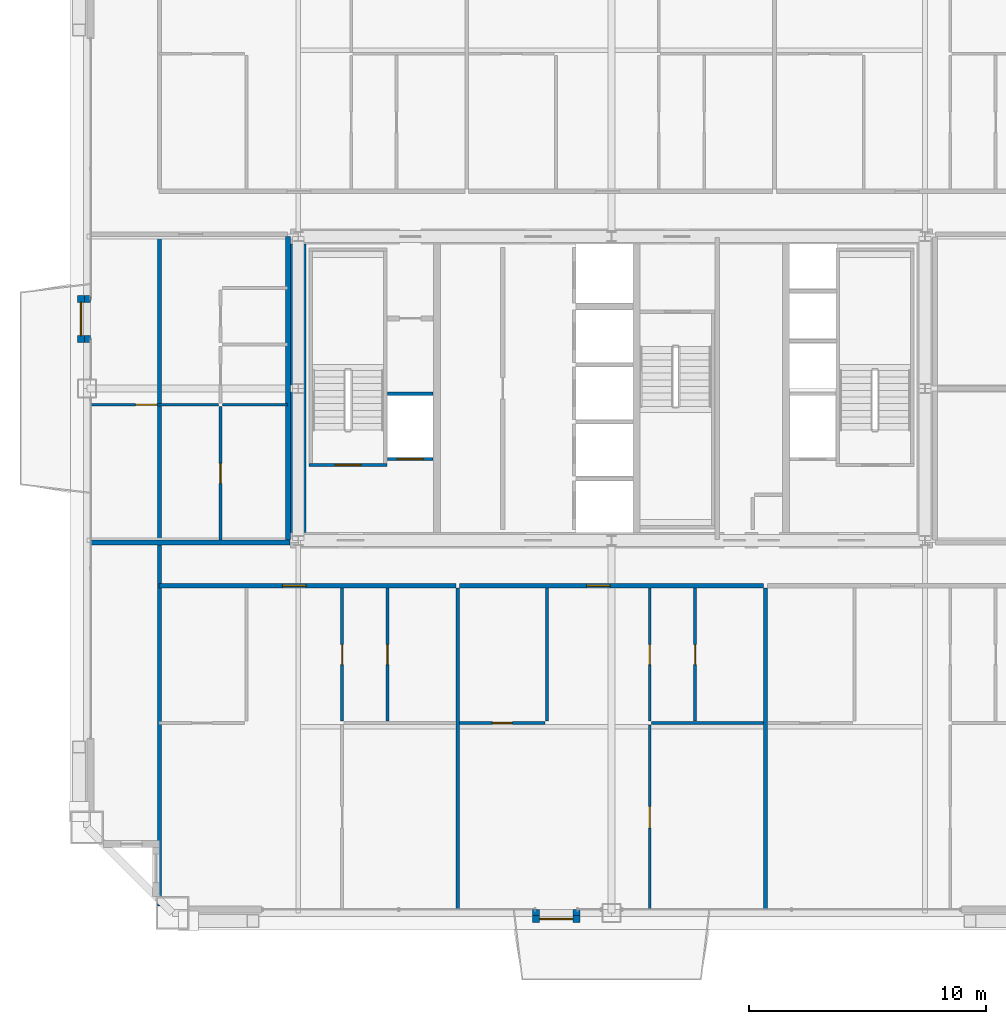
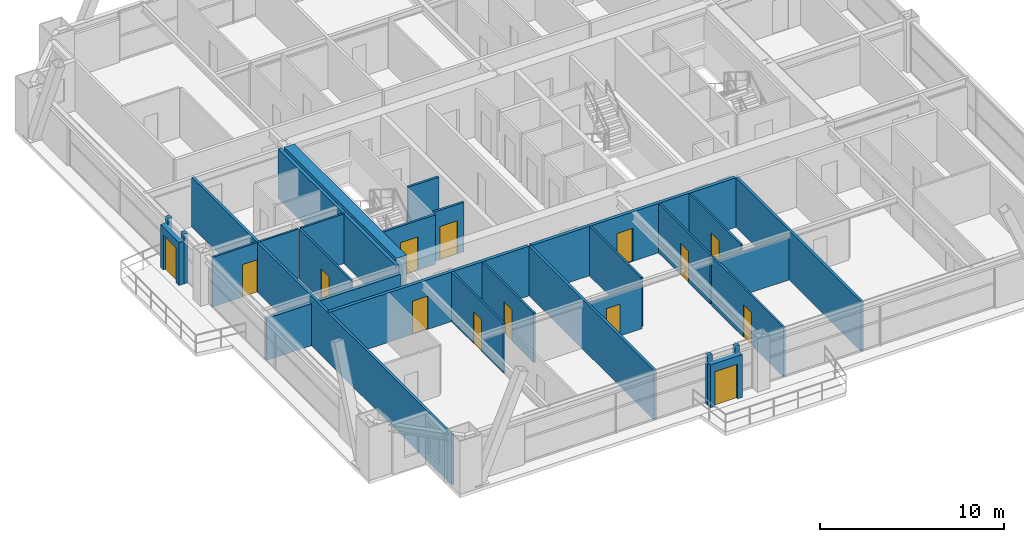
# One storey, part 37 of 42: 28 walls, 14 doors, 14 openings.
"""IFC4 building model written with IfcOpenShell, lengths in metres."""

from ifc_helpers import new_model, si_unit, direction, frame, frame_2d, origin, place, context, subcontext, project, spatial, rectangle, extrude, source, transform, mapped, material, layer, layer_set, type_object, element, fill, save


model = new_model("IFC4")

# Units and contexts
model_context = context("Model", 3, precision=1e-05, world=origin(), true_north=direction((0.0, 1.0)))
body_context = subcontext(model_context, "Body", "Model", "MODEL_VIEW")
ifc_project = project(units=[si_unit("LENGTHUNIT", "METRE"), si_unit("AREAUNIT", "SQUARE_METRE"), si_unit("VOLUMEUNIT", "CUBIC_METRE"), si_unit("PLANEANGLEUNIT", "RADIAN"), si_unit("MASSUNIT", "GRAM", prefix="KILO"), si_unit("THERMODYNAMICTEMPERATUREUNIT", "KELVIN"), si_unit("POWERUNIT", "WATT")], contexts=[model_context])

# Site, building, storey
site_placement = place(None, origin())
site = spatial("IfcSite", under=ifc_project, at=site_placement, CompositionType="ELEMENT")
building_placement = place(site_placement, origin())
building = spatial("IfcBuilding", under=site, at=building_placement, Name="Yuzanri Waterfront Tower", CompositionType="ELEMENT")
storey_placement = place(building_placement, frame((0.0, 0.0, 205.5)))
storey = spatial("IfcBuildingStorey", under=building, at=storey_placement, Name="L54", CompositionType="ELEMENT", Elevation=205.5)

# Wall, opening, door
ifc_material_1 = material(Name="Moisture-Resistant Gypsum Stud Wall", Category="gypsum")
ifc_layer_1 = layer(ifc_material_1, 0.1201171875)
ifc_layer_set_1 = layer_set([ifc_layer_1], Name="Moisture-Resistant Gypsum Stud Wall")
wall_type_1 = type_object("IfcWallType", Name="Bathroom and Kitchen Wet Partition 120", PredefinedType="PARTITIONING", material=ifc_layer_set_1)
wall_1_placement = place(storey_placement, frame((27.56005859375, 11.780029296875, 0.0), z_axis=(0.0, 0.0, 1.0), x_axis=(0.0, 1.0, 0.0)))
wall_1 = element("IfcWall", 1, at=wall_1_placement, inside=storey, type_object=wall_type_1, Name="L54 Partition UW-L54-RS1-SUB-2-W", PredefinedType="PARTITIONING", context=body_context, shape_type="SweptSolid", body=[
    extrude(rectangle(XDim=5.60986328125, YDim=0.1201171875, at=frame_2d((2.804931640625, 0.0))), origin(), (0.0, 0.0, 1.0), 3.280029296875),
])
opening_1_placement = place(wall_1_placement, frame((2.3798828125, 0.0, 0.0)))
opening_1 = element("IfcOpeningElement", 2, at=opening_1_placement, cuts=wall_1, Name="Opening ID-0850", PredefinedType="OPENING", context=body_context, shape_type="SweptSolid", body=[
    extrude(rectangle(XDim=0.85009765625, YDim=2.10009765625, at=frame_2d((0.425048828125, 1.050048828125))), frame((0.0, 0.074951171875, 0.0), z_axis=(0.0, -1.0, 0.0), x_axis=(1.0, 0.0, 0.0)), (0.0, 0.0, 1.0), 0.14990234375),
])
ifc_material_2 = material(Name="Moisture-Resistant Lacquered Timber", Category="wood")
door_type_1 = type_object("IfcDoorType", Name="En-Suite Bathroom and Kitchen Swing Door 850x2100", OperationType="NOTDEFINED", PredefinedType="DOOR", material=ifc_material_2)
shared_shape_1 = source(origin(), body_context, "Body", "SweptSolid", [
    extrude(rectangle(XDim=0.85009765625, YDim=2.10009765625, at=frame_2d((0.425048828125, 1.050048828125))), frame((0.0, 0.02490234375, 0.0), z_axis=(0.0, -1.0, 0.0), x_axis=(1.0, 0.0, 0.0)), (0.0, 0.0, 1.0), 0.050048828125),
])
door_1_placement = place(opening_1_placement, origin())
door_1 = element("IfcDoor", 3, at=door_1_placement, inside=storey, type_object=door_type_1, Name="L54 Suite Interior Room Door", OperationType="SINGLE_SWING_RIGHT", OverallHeight=2.10009765625, OverallWidth=0.85009765625, PredefinedType="DOOR", context=body_context, shape_type="MappedRepresentation", body=[
    mapped(shared_shape_1, transform((0.0, 0.0, 0.0), scale=1.0)),
])
fill(opening_1, door_1)

wall_2_placement = place(storey_placement, frame((25.64794921875, 11.780029296875, 0.0), z_axis=(0.0, 0.0, 1.0), x_axis=(0.0, 1.0, 0.0)))
wall_2 = element("IfcWall", 4, at=wall_2_placement, inside=storey, type_object=wall_type_1, Name="L54 Partition UW-L54-RS1-SUB-4-W", PredefinedType="PARTITIONING", context=body_context, shape_type="SweptSolid", body=[
    extrude(rectangle(XDim=5.60986328125, YDim=0.1201171875, at=frame_2d((2.804931640625, 0.0))), origin(), (0.0, 0.0, 1.0), 3.280029296875),
])
opening_2_placement = place(wall_2_placement, frame((2.3798828125, 0.0, 0.0)))
opening_2 = element("IfcOpeningElement", 5, at=opening_2_placement, cuts=wall_2, Name="Opening ID-0850", PredefinedType="OPENING", context=body_context, shape_type="SweptSolid", body=[
    extrude(rectangle(XDim=0.85009765625, YDim=2.10009765625, at=frame_2d((0.425048828125, 1.050048828125))), frame((0.0, 0.074951171875, 0.0), z_axis=(0.0, -1.0, 0.0), x_axis=(1.0, 0.0, 0.0)), (0.0, 0.0, 1.0), 0.14990234375),
])
door_2_placement = place(opening_2_placement, origin())
door_2 = element("IfcDoor", 6, at=door_2_placement, inside=storey, type_object=door_type_1, Name="L54 Suite Interior Room Door", OperationType="SINGLE_SWING_RIGHT", OverallHeight=2.10009765625, OverallWidth=0.85009765625, PredefinedType="DOOR", context=body_context, shape_type="MappedRepresentation", body=[
    mapped(shared_shape_1, transform((0.0, 0.0, 0.0), scale=1.0)),
])
fill(opening_2, door_2)

wall_3_placement = place(storey_placement, frame((30.60009765625, 11.699951171875, 0.0), z_axis=(0.0, 0.0, 1.0), x_axis=(1.0, 0.0, 0.0)))
wall_3 = element("IfcWall", 7, at=wall_3_placement, inside=storey, type_object=wall_type_1, Name="L54 Partition UW-L54-RS2-SUB-1-S", PredefinedType="PARTITIONING", context=body_context, shape_type="SweptSolid", body=[
    extrude(rectangle(XDim=3.599853515625, YDim=0.1201171875, at=frame_2d((1.7998046875, 0.0))), origin(), (0.0, 0.0, 1.0), 2.875),
])
opening_3_placement = place(wall_3_placement, frame((1.375, 0.0, 0.0)))
opening_3 = element("IfcOpeningElement", 8, at=opening_3_placement, cuts=wall_3, Name="Opening ID-0850", PredefinedType="OPENING", context=body_context, shape_type="SweptSolid", body=[
    extrude(rectangle(XDim=0.85009765625, YDim=2.10009765625, at=frame_2d((0.425048828125, 1.050048828125))), frame((0.0, 0.074951171875, 0.0), z_axis=(0.0, -1.0, 0.0), x_axis=(1.0, 0.0, 0.0)), (0.0, 0.0, 1.0), 0.14990234375),
])
door_3_placement = place(opening_3_placement, origin())
door_3 = element("IfcDoor", 9, at=door_3_placement, inside=storey, type_object=door_type_1, Name="L54 Suite Interior Room Door", OperationType="SINGLE_SWING_RIGHT", OverallHeight=2.10009765625, OverallWidth=0.85009765625, PredefinedType="DOOR", context=body_context, shape_type="MappedRepresentation", body=[
    mapped(shared_shape_1, transform((0.0, 0.0, 0.0), scale=1.0)),
])
fill(opening_3, door_3)

wall_4_placement = place(storey_placement, frame((40.52001953125, 11.780029296875, 0.0), z_axis=(0.0, 0.0, 1.0), x_axis=(0.0, 1.0, 0.0)))
wall_4 = element("IfcWall", 10, at=wall_4_placement, inside=storey, type_object=wall_type_1, Name="L54 Partition UW-L54-RS2-SUB-2-W", PredefinedType="PARTITIONING", context=body_context, shape_type="SweptSolid", body=[
    extrude(rectangle(XDim=5.60986328125, YDim=0.1201171875, at=frame_2d((2.804931640625, 0.0))), origin(), (0.0, 0.0, 1.0), 3.280029296875),
])
opening_4_placement = place(wall_4_placement, frame((2.3798828125, 0.0, 0.0)))
opening_4 = element("IfcOpeningElement", 11, at=opening_4_placement, cuts=wall_4, Name="Opening ID-0850", PredefinedType="OPENING", context=body_context, shape_type="SweptSolid", body=[
    extrude(rectangle(XDim=0.85009765625, YDim=2.10009765625, at=frame_2d((0.425048828125, 1.050048828125))), frame((0.0, 0.074951171875, 0.0), z_axis=(0.0, -1.0, 0.0), x_axis=(1.0, 0.0, 0.0)), (0.0, 0.0, 1.0), 0.14990234375),
])
door_4_placement = place(opening_4_placement, origin())
door_4 = element("IfcDoor", 12, at=door_4_placement, inside=storey, type_object=door_type_1, Name="L54 Suite Interior Room Door", OperationType="SINGLE_SWING_LEFT", OverallHeight=2.10009765625, OverallWidth=0.85009765625, PredefinedType="DOOR", context=body_context, shape_type="MappedRepresentation", body=[
    mapped(shared_shape_1, transform((0.0, 0.0, 0.0), scale=1.0)),
])
fill(opening_4, door_4)

wall_5_placement = place(storey_placement, frame((38.60791015625, 3.85009765625, 0.0), z_axis=(0.0, 0.0, 1.0), x_axis=(0.0, 1.0, 0.0)))
wall_5 = element("IfcWall", 13, at=wall_5_placement, inside=storey, type_object=wall_type_1, Name="L54 Partition UW-L54-RS2-SUB-3-W", PredefinedType="PARTITIONING", context=body_context, shape_type="SweptSolid", body=[
    extrude(rectangle(XDim=7.77001953125, YDim=0.1201171875, at=frame_2d((3.885009765625, 0.0))), origin(), (0.0, 0.0, 1.0), 3.280029296875),
])
opening_5_placement = place(wall_5_placement, frame((3.43505859375, 0.0, 0.0)))
opening_5 = element("IfcOpeningElement", 14, at=opening_5_placement, cuts=wall_5, Name="Opening ID-0900", PredefinedType="OPENING", context=body_context, shape_type="SweptSolid", body=[
    extrude(rectangle(XDim=0.89990234375, YDim=2.14990234375, at=frame_2d((0.449951171875, 1.074951171875))), frame((0.0, 0.074951171875, 0.0), z_axis=(0.0, -1.0, 0.0), x_axis=(1.0, 0.0, 0.0)), (0.0, 0.0, 1.0), 0.14990234375),
])
ifc_material_3 = material(Name="Stained Walnut Veneer Timber", Category="wood")
door_type_2 = type_object("IfcDoorType", Name="Bedroom and Study Interior Swing Door 900x2150", OperationType="NOTDEFINED", PredefinedType="DOOR", material=ifc_material_3)
shared_shape_2 = source(origin(), body_context, "Body", "SweptSolid", [
    extrude(rectangle(XDim=0.89990234375, YDim=2.14990234375, at=frame_2d((0.449951171875, 1.074951171875))), frame((0.0, 0.02490234375, 0.0), z_axis=(0.0, -1.0, 0.0), x_axis=(1.0, 0.0, 0.0)), (0.0, 0.0, 1.0), 0.050048828125),
])
door_5_placement = place(opening_5_placement, origin())
door_5 = element("IfcDoor", 15, at=door_5_placement, inside=storey, type_object=door_type_2, Name="L54 Suite Interior Room Door", OperationType="SINGLE_SWING_RIGHT", OverallHeight=2.14990234375, OverallWidth=0.89990234375, PredefinedType="DOOR", context=body_context, shape_type="MappedRepresentation", body=[
    mapped(shared_shape_2, transform((0.0, 0.0, 0.0), scale=1.0)),
])
fill(opening_5, door_5)

wall_6_placement = place(storey_placement, frame((38.60791015625, 11.780029296875, 0.0), z_axis=(0.0, 0.0, 1.0), x_axis=(0.0, 1.0, 0.0)))
wall_6 = element("IfcWall", 16, at=wall_6_placement, inside=storey, type_object=wall_type_1, Name="L54 Partition UW-L54-RS2-SUB-4-W", PredefinedType="PARTITIONING", context=body_context, shape_type="SweptSolid", body=[
    extrude(rectangle(XDim=5.60986328125, YDim=0.1201171875, at=frame_2d((2.804931640625, 0.0))), origin(), (0.0, 0.0, 1.0), 3.280029296875),
])
opening_6_placement = place(wall_6_placement, frame((2.3798828125, 0.0, 0.0)))
opening_6 = element("IfcOpeningElement", 17, at=opening_6_placement, cuts=wall_6, Name="Opening ID-0850", PredefinedType="OPENING", context=body_context, shape_type="SweptSolid", body=[
    extrude(rectangle(XDim=0.85009765625, YDim=2.10009765625, at=frame_2d((0.425048828125, 1.050048828125))), frame((0.0, 0.074951171875, 0.0), z_axis=(0.0, -1.0, 0.0), x_axis=(1.0, 0.0, 0.0)), (0.0, 0.0, 1.0), 0.14990234375),
])
door_6_placement = place(opening_6_placement, origin())
door_6 = element("IfcDoor", 18, at=door_6_placement, inside=storey, type_object=door_type_1, Name="L54 Suite Interior Room Door", OperationType="SINGLE_SWING_LEFT", OverallHeight=2.10009765625, OverallWidth=0.85009765625, PredefinedType="DOOR", context=body_context, shape_type="MappedRepresentation", body=[
    mapped(shared_shape_1, transform((0.0, 0.0, 0.0), scale=1.0)),
])
fill(opening_6, door_6)

wall_7_placement = place(storey_placement, frame((15.050048828125, 25.113037109375, 0.0), z_axis=(0.0, 0.0, 1.0), x_axis=(1.0, 0.0, 0.0)))
wall_7 = element("IfcWall", 19, at=wall_7_placement, inside=storey, type_object=wall_type_1, Name="L54 Partition UW-L54-RW1-SUB-3-N", PredefinedType="PARTITIONING", context=body_context, shape_type="SweptSolid", body=[
    extrude(rectangle(XDim=5.389892578125, YDim=0.1201171875, at=frame_2d((2.69482421875, 0.0))), origin(), (0.0, 0.0, 1.0), 3.280029296875),
])
opening_7_placement = place(wall_7_placement, frame((1.89599609375, 0.0, 0.0)))
opening_7 = element("IfcOpeningElement", 20, at=opening_7_placement, cuts=wall_7, Name="Opening ID-0900", PredefinedType="OPENING", context=body_context, shape_type="SweptSolid", body=[
    extrude(rectangle(XDim=0.89990234375, YDim=2.14990234375, at=frame_2d((0.449951171875, 1.074951171875))), frame((0.0, 0.074951171875, 0.0), z_axis=(0.0, -1.0, 0.0), x_axis=(1.0, 0.0, 0.0)), (0.0, 0.0, 1.0), 0.14990234375),
])
door_7_placement = place(opening_7_placement, origin())
door_7 = element("IfcDoor", 21, at=door_7_placement, inside=storey, type_object=door_type_2, Name="L54 Suite Interior Room Door", OperationType="SINGLE_SWING_LEFT", OverallHeight=2.14990234375, OverallWidth=0.89990234375, PredefinedType="DOOR", context=body_context, shape_type="MappedRepresentation", body=[
    mapped(shared_shape_2, transform((0.0, 0.0, 0.0), scale=1.0)),
])
fill(opening_7, door_7)

wall_8_placement = place(storey_placement, frame((20.52001953125, 19.409912109375, 0.0), z_axis=(0.0, 0.0, 1.0), x_axis=(0.0, 1.0, 0.0)))
wall_8 = element("IfcWall", 22, at=wall_8_placement, inside=storey, type_object=wall_type_1, Name="L54 Partition UW-L54-RW1-SUB-3-E", PredefinedType="PARTITIONING", context=body_context, shape_type="SweptSolid", body=[
    extrude(rectangle(XDim=5.623046875, YDim=0.1201171875, at=frame_2d((2.8115234375, 0.0))), origin(), (0.0, 0.0, 1.0), 3.280029296875),
])
opening_8_placement = place(wall_8_placement, frame((2.386474609375, 0.0, 0.0)))
opening_8 = element("IfcOpeningElement", 23, at=opening_8_placement, cuts=wall_8, Name="Opening ID-0850", PredefinedType="OPENING", context=body_context, shape_type="SweptSolid", body=[
    extrude(rectangle(XDim=0.85009765625, YDim=2.10009765625, at=frame_2d((0.425048828125, 1.050048828125))), frame((0.0, 0.074951171875, 0.0), z_axis=(0.0, -1.0, 0.0), x_axis=(1.0, 0.0, 0.0)), (0.0, 0.0, 1.0), 0.14990234375),
])
door_8_placement = place(opening_8_placement, origin())
door_8 = element("IfcDoor", 24, at=door_8_placement, inside=storey, type_object=door_type_1, Name="L54 Suite Interior Room Door", OperationType="SINGLE_SWING_RIGHT", OverallHeight=2.10009765625, OverallWidth=0.85009765625, PredefinedType="DOOR", context=body_context, shape_type="MappedRepresentation", body=[
    mapped(shared_shape_1, transform((0.0, 0.0, 0.0), scale=1.0)),
])
fill(opening_8, door_8)

ifc_material_4 = material(Name="Honed Chongqing Dark Basalt Stone", Category="masonry")
ifc_layer_2 = layer(ifc_material_4, 0.300048828125)
ifc_layer_set_2 = layer_set([ifc_layer_2], Name="Honed Chongqing Dark Basalt Stone")
wall_type_2 = type_object("IfcWallType", Name="Bronze Rainscreen Insulated Spandrel Portal Wall 300", PredefinedType="SOLIDWALL", material=ifc_layer_set_2)
wall_9_placement = place(storey_placement, frame((33.6650390625, 3.449951171875, 0.0), z_axis=(0.0, 0.0, 1.0), x_axis=(1.0, 0.0, 0.0)))
wall_9 = element("IfcWall", 25, at=wall_9_placement, inside=storey, type_object=wall_type_2, Name="L54 S Terrace Door Portal Wall", PredefinedType="SOLIDWALL", context=body_context, shape_type="SweptSolid", body=[
    extrude(rectangle(XDim=2.0, YDim=0.300048828125, at=frame_2d((1.0, 0.0))), origin(), (0.0, 0.0, 1.0), 2.8349609375),
])
opening_9_placement = place(wall_9_placement, frame((0.300048828125, 0.0, 0.0)))
opening_9 = element("IfcOpeningElement", 26, at=opening_9_placement, cuts=wall_9, Name="Opening TD-1400", PredefinedType="OPENING", context=body_context, shape_type="SweptSolid", body=[
    extrude(rectangle(XDim=1.39990234375, YDim=2.300048828125, at=frame_2d((0.699951171875, 1.14990234375))), frame((0.0, 0.1650390625, 0.0), z_axis=(0.0, -1.0, 0.0), x_axis=(1.0, 0.0, 0.0)), (0.0, 0.0, 1.0), 0.329833984375),
])
ifc_material_5 = material(Name="Anodized Architectural Bronze", Category="metal")
door_type_3 = type_object("IfcDoorType", Name="Anodized Bronze Balcony and Terrace Glazed Double Door 1400x2300", OperationType="NOTDEFINED", PredefinedType="DOOR", material=ifc_material_5)
shared_shape_3 = source(origin(), body_context, "Body", "SweptSolid", [
    extrude(rectangle(XDim=1.39990234375, YDim=2.300048828125, at=frame_2d((0.699951171875, 1.14990234375))), frame((0.0, 0.02490234375, 0.0), z_axis=(0.0, -1.0, 0.0), x_axis=(1.0, 0.0, 0.0)), (0.0, 0.0, 1.0), 0.050048828125),
])
door_9_placement = place(opening_9_placement, origin())
door_9 = element("IfcDoor", 27, at=door_9_placement, inside=storey, type_object=door_type_3, Name="L54 S Terrace Glazed Double Door", OperationType="DOUBLE_DOOR_SINGLE_SWING", OverallHeight=2.300048828125, OverallWidth=1.39990234375, PredefinedType="DOOR", context=body_context, shape_type="MappedRepresentation", body=[
    mapped(shared_shape_3, transform((0.0, 0.0, 0.0), scale=1.0)),
])
fill(opening_9, door_9)

wall_10_placement = place(storey_placement, frame((14.64990234375, 27.72509765625, 0.0), z_axis=(0.0, 0.0, 1.0), x_axis=(0.0, 1.0, 0.0)))
wall_10 = element("IfcWall", 28, at=wall_10_placement, inside=storey, type_object=wall_type_2, Name="L54 W Terrace Door Portal Wall", PredefinedType="SOLIDWALL", context=body_context, shape_type="SweptSolid", body=[
    extrude(rectangle(XDim=2.0, YDim=0.300048828125, at=frame_2d((1.0, 0.0))), origin(), (0.0, 0.0, 1.0), 2.8349609375),
])
opening_10_placement = place(wall_10_placement, frame((0.300048828125, 0.0, 0.0)))
opening_10 = element("IfcOpeningElement", 29, at=opening_10_placement, cuts=wall_10, Name="Opening TD-1400", PredefinedType="OPENING", context=body_context, shape_type="SweptSolid", body=[
    extrude(rectangle(XDim=1.39990234375, YDim=2.300048828125, at=frame_2d((0.699951171875, 1.14990234375))), frame((0.0, 0.1650390625, 0.0), z_axis=(0.0, -1.0, 0.0), x_axis=(1.0, 0.0, 0.0)), (0.0, 0.0, 1.0), 0.329833984375),
])
door_10_placement = place(opening_10_placement, origin())
door_10 = element("IfcDoor", 30, at=door_10_placement, inside=storey, type_object=door_type_3, Name="L54 W Terrace Glazed Double Door", OperationType="DOUBLE_DOOR_SINGLE_SWING", OverallHeight=2.300048828125, OverallWidth=1.39990234375, PredefinedType="DOOR", context=body_context, shape_type="MappedRepresentation", body=[
    mapped(shared_shape_3, transform((0.0, 0.0, 0.0), scale=1.0)),
])
fill(opening_10, door_10)

ifc_material_6 = material(Name="Concrete C40", Category="concrete")
ifc_layer_3 = layer(ifc_material_6, 0.139892578125)
ifc_layer_set_3 = layer_set([ifc_layer_3], Name="Concrete C40")
wall_type_3 = type_object("IfcWallType", Name="Core Stair Liner and Hoistway Shaft Wall 140", PredefinedType="SOLIDWALL", material=ifc_layer_set_3)
wall_11_placement = place(storey_placement, frame((27.56005859375, 22.830078125, 0.0), z_axis=(0.0, 0.0, 1.0), x_axis=(1.0, 0.0, 0.0)))
wall_11 = element("IfcWall", 31, at=wall_11_placement, inside=storey, type_object=wall_type_3, Name="L54 Lift FL-01 Front Shaft Wall", PredefinedType="SOLIDWALL", context=body_context, shape_type="SweptSolid", body=[
    extrude(rectangle(XDim=1.919921875, YDim=0.139892578125, at=frame_2d((0.9599609375, 0.0))), origin(), (0.0, 0.0, 1.0), 3.280029296875),
])
opening_11_placement = place(wall_11_placement, frame((0.409912109375, 0.0, 0.0)))
opening_11 = element("IfcOpeningElement", 32, at=opening_11_placement, cuts=wall_11, Name="Opening LD-FL-01", PredefinedType="OPENING", context=body_context, shape_type="SweptSolid", body=[
    extrude(rectangle(XDim=1.10009765625, YDim=2.199951171875, at=frame_2d((0.550048828125, 1.10009765625))), frame((0.0, 0.0849609375, 0.0), z_axis=(0.0, -1.0, 0.0), x_axis=(1.0, 0.0, 0.0)), (0.0, 0.0, 1.0), 0.169677734375),
])
ifc_material_7 = material(Name="Brushed Bronze and Stainless Steel Cab", Category="steel")
door_type_4 = type_object("IfcDoorType", Name="Center-Parting Bronze Lift Landing Sliding Door 1100x2200", OperationType="NOTDEFINED", PredefinedType="DOOR", material=ifc_material_7)
shared_shape_4 = source(origin(), body_context, "Body", "SweptSolid", [
    extrude(rectangle(XDim=1.10009765625, YDim=2.199951171875, at=frame_2d((0.550048828125, 1.10009765625))), frame((0.0, 0.02490234375, 0.0), z_axis=(0.0, -1.0, 0.0), x_axis=(1.0, 0.0, 0.0)), (0.0, 0.0, 1.0), 0.050048828125),
])
door_11_placement = place(opening_11_placement, origin())
door_11 = element("IfcDoor", 33, at=door_11_placement, inside=storey, type_object=door_type_4, Name="L54 FL-01 Lift Landing Sliding Door", OperationType="SLIDING_TO_LEFT", OverallHeight=2.199951171875, OverallWidth=1.10009765625, PredefinedType="DOOR", context=body_context, shape_type="MappedRepresentation", body=[
    mapped(shared_shape_4, transform((0.0, 0.0, 0.0), scale=1.0)),
])
fill(opening_11, door_11)

wall_12_placement = place(storey_placement, frame((24.260009765625, 22.570068359375, 0.0), z_axis=(0.0, 0.0, 1.0), x_axis=(1.0, 0.0, 0.0)))
wall_12 = element("IfcWall", 34, at=wall_12_placement, inside=storey, type_object=wall_type_3, Name="L54 Shaft Wall STW-L54-ST-01-S", PredefinedType="SOLIDWALL", context=body_context, shape_type="SweptSolid", body=[
    extrude(rectangle(XDim=3.280029296875, YDim=0.139892578125, at=frame_2d((1.64013671875, 0.0))), origin(), (0.0, 0.0, 1.0), 3.280029296875),
])
opening_12_placement = place(wall_12_placement, frame((1.090087890625, 0.0, 0.0)))
opening_12 = element("IfcOpeningElement", 35, at=opening_12_placement, cuts=wall_12, Name="Opening FD-1100", PredefinedType="OPENING", context=body_context, shape_type="SweptSolid", body=[
    extrude(rectangle(XDim=1.10009765625, YDim=2.199951171875, at=frame_2d((0.550048828125, 1.10009765625))), frame((0.0, 0.0849609375, 0.0), z_axis=(0.0, -1.0, 0.0), x_axis=(1.0, 0.0, 0.0)), (0.0, 0.0, 1.0), 0.169677734375),
])
ifc_material_8 = material(Name="Painted Galvanized Fire Steel", Category="steel")
door_type_5 = type_object("IfcDoorType", Name="Smoke-Proof Stair and Lobby Fire Door 1100x2200", OperationType="NOTDEFINED", PredefinedType="DOOR", material=ifc_material_8)
shared_shape_5 = source(origin(), body_context, "Body", "SweptSolid", [
    extrude(rectangle(XDim=1.10009765625, YDim=2.199951171875, at=frame_2d((0.550048828125, 1.10009765625))), frame((0.0, 0.02490234375, 0.0), z_axis=(0.0, -1.0, 0.0), x_axis=(1.0, 0.0, 0.0)), (0.0, 0.0, 1.0), 0.050048828125),
])
door_12_placement = place(opening_12_placement, origin())
door_12 = element("IfcDoor", 36, at=door_12_placement, inside=storey, type_object=door_type_5, Name="L54 Stair ST-01 Fire Door", OperationType="SINGLE_SWING_LEFT", OverallHeight=2.199951171875, OverallWidth=1.10009765625, PredefinedType="DOOR", context=body_context, shape_type="MappedRepresentation", body=[
    mapped(shared_shape_5, transform((0.0, 0.0, 0.0), scale=1.0)),
])
fill(opening_12, door_12)

ifc_material_9 = material(Name="Autoclaved Aerated Concrete Blockwork", Category="masonry")
ifc_layer_4 = layer(ifc_material_9, 0.199951171875)
ifc_layer_set_4 = layer_set([ifc_layer_4], Name="Autoclaved Aerated Concrete Blockwork")
wall_type_4 = type_object("IfcWallType", Name="Corridor and Unit Party Fire Wall 200", PredefinedType="PARTITIONING", material=ifc_layer_set_4)
wall_13_placement = place(storey_placement, frame((17.93994140625, 17.489990234375, 0.0), z_axis=(0.0, 0.0, 1.0), x_axis=(1.0, 0.0, 0.0)))
wall_13 = element("IfcWall", 37, at=wall_13_placement, inside=storey, type_object=wall_type_4, Name="L54 Partition UW-L54-RS1-CN", PredefinedType="PARTITIONING", context=body_context, shape_type="SweptSolid", body=[
    extrude(rectangle(XDim=12.5, YDim=0.199951171875, at=frame_2d((6.25, 0.0))), origin(), (0.0, 0.0, 1.0), 3.280029296875),
])
opening_13_placement = place(wall_13_placement, frame((5.194091796875, 0.0, 0.0)))
opening_13 = element("IfcOpeningElement", 38, at=opening_13_placement, cuts=wall_13, Name="Opening FD-1000", PredefinedType="OPENING", context=body_context, shape_type="SweptSolid", body=[
    extrude(rectangle(XDim=1.0, YDim=2.199951171875, at=frame_2d((0.5, 1.10009765625))), frame((0.0, 0.11474609375, 0.0), z_axis=(0.0, -1.0, 0.0), x_axis=(1.0, 0.0, 0.0)), (0.0, 0.0, 1.0), 0.229736328125),
])
ifc_material_10 = material(Name="Engineered Oak Fire-Rated Timber", Category="wood")
door_type_6 = type_object("IfcDoorType", Name="Guestroom and Apartment Entrance Fire Door 1000x2200", OperationType="NOTDEFINED", PredefinedType="DOOR", material=ifc_material_10)
shared_shape_6 = source(origin(), body_context, "Body", "SweptSolid", [
    extrude(rectangle(XDim=1.0, YDim=2.199951171875, at=frame_2d((0.5, 1.10009765625))), frame((0.0, 0.02490234375, 0.0), z_axis=(0.0, -1.0, 0.0), x_axis=(1.0, 0.0, 0.0)), (0.0, 0.0, 1.0), 0.050048828125),
])
door_13_placement = place(opening_13_placement, origin())
door_13 = element("IfcDoor", 39, at=door_13_placement, inside=storey, type_object=door_type_6, Name="L54 Apartment Living Room Entrance Door", OperationType="SINGLE_SWING_RIGHT", OverallHeight=2.199951171875, OverallWidth=1.0, PredefinedType="DOOR", context=body_context, shape_type="MappedRepresentation", body=[
    mapped(shared_shape_6, transform((0.0, 0.0, 0.0), scale=1.0)),
])
fill(opening_13, door_13)

wall_14_placement = place(storey_placement, frame((30.60009765625, 17.489990234375, 0.0), z_axis=(0.0, 0.0, 1.0), x_axis=(1.0, 0.0, 0.0)))
wall_14 = element("IfcWall", 40, at=wall_14_placement, inside=storey, type_object=wall_type_4, Name="L54 Partition UW-L54-RS2-CN", PredefinedType="PARTITIONING", context=body_context, shape_type="SweptSolid", body=[
    extrude(rectangle(XDim=12.7998046875, YDim=0.199951171875, at=frame_2d((6.39990234375, 0.0))), origin(), (0.0, 0.0, 1.0), 3.280029296875),
])
opening_14_placement = place(wall_14_placement, frame((5.343994140625, 0.0, 0.0)))
opening_14 = element("IfcOpeningElement", 41, at=opening_14_placement, cuts=wall_14, Name="Opening FD-1000", PredefinedType="OPENING", context=body_context, shape_type="SweptSolid", body=[
    extrude(rectangle(XDim=1.0, YDim=2.199951171875, at=frame_2d((0.5, 1.10009765625))), frame((0.0, 0.11474609375, 0.0), z_axis=(0.0, -1.0, 0.0), x_axis=(1.0, 0.0, 0.0)), (0.0, 0.0, 1.0), 0.229736328125),
])
door_14_placement = place(opening_14_placement, origin())
door_14 = element("IfcDoor", 42, at=door_14_placement, inside=storey, type_object=door_type_6, Name="L54 Apartment Living Room Entrance Door", OperationType="SINGLE_SWING_LEFT", OverallHeight=2.199951171875, OverallWidth=1.0, PredefinedType="DOOR", context=body_context, shape_type="MappedRepresentation", body=[
    mapped(shared_shape_6, transform((0.0, 0.0, 0.0), scale=1.0)),
])
fill(opening_14, door_14)

# Walls
ifc_material_11 = material(Name="Concrete C50", Category="concrete")
ifc_layer_5 = layer(ifc_material_11, 0.64990234375)
ifc_layer_set_5 = layer_set([ifc_layer_5], Name="Concrete C50")
wall_type_5 = type_object("IfcWallType", Name="Concrete C50 Mid Zone Core Shear Wall 650", PredefinedType="SHEAR", material=ifc_layer_set_5)
shared_shape_7 = source(origin(), body_context, "Body", "SweptSolid", [
    extrude(rectangle(XDim=12.14990234375, YDim=0.64990234375, at=frame_2d((6.074951171875, 0.0))), origin(), (0.0, 0.0, 1.0), 3.5),
])
wall_15_placement = place(storey_placement, frame((23.800048828125, 19.72509765625, 0.0), z_axis=(0.0, 0.0, 1.0), x_axis=(0.0, 1.0, 0.0)))
element("IfcWall", 43, at=wall_15_placement, inside=storey, type_object=wall_type_5, Name="L54 Core West Shear Wall", PredefinedType="SHEAR", context=body_context, shape_type="MappedRepresentation", body=[
    mapped(shared_shape_7, transform((0.0, 0.0, 0.0), scale=1.0)),
])
shared_shape_8 = source(origin(), body_context, "Body", "SweptSolid", [
    extrude(rectangle(XDim=0.25, YDim=0.300048828125, at=frame_2d((0.125, 0.0))), origin(), (0.0, 0.0, 1.0), 3.280029296875),
])
for number, where, z_axis, x_axis, name in (
    (44, (33.81494140625, 3.85009765625, 0.0), (0.0, 0.0, 1.0), (0.0, -1.0, 0.0), "L54 S Terrace Portal Left Return"),
    (45, (35.514892578125, 3.60009765625, 0.0), (0.0, 0.0, 1.0), (0.0, 1.0, 0.0), "L54 S Terrace Portal Right Return"),
    (46, (15.050048828125, 27.875, 0.0), (0.0, 0.0, 1.0), (-1.0, 0.0, 0.0), "L54 W Terrace Portal Left Return"),
    (47, (14.800048828125, 29.574951171875, 0.0), (0.0, 0.0, 1.0), (1.0, 0.0, 0.0), "L54 W Terrace Portal Right Return"),
):
    element("IfcWall", number, at=place(storey_placement, frame(where, z_axis=z_axis, x_axis=x_axis)), inside=storey, type_object=wall_type_2, Name=name, PredefinedType="SOLIDWALL", context=body_context, shape_type="MappedRepresentation", body=[
        mapped(shared_shape_8, transform((0.0, 0.0, 0.0), scale=1.0)),
    ])
shared_shape_9 = source(origin(), body_context, "Body", "SweptSolid", [
    extrude(rectangle(XDim=1.919921875, YDim=0.139892578125, at=frame_2d((0.9599609375, 0.0))), origin(), (0.0, 0.0, 1.0), 3.280029296875),
])
wall_16_placement = place(storey_placement, frame((27.56005859375, 25.570068359375, 0.0), z_axis=(0.0, 0.0, 1.0), x_axis=(1.0, 0.0, 0.0)))
element("IfcWall", 48, at=wall_16_placement, inside=storey, type_object=wall_type_3, Name="L54 Lift FL-01 Back Shaft Wall", PredefinedType="SOLIDWALL", context=body_context, shape_type="MappedRepresentation", body=[
    mapped(shared_shape_9, transform((0.0, 0.0, 0.0), scale=1.0)),
])
ifc_material_12 = material(Name="Gypsum Fireboard Acoustic Stud Wall", Category="gypsum")
ifc_layer_6 = layer(ifc_material_12, 0.159912109375)
ifc_layer_set_6 = layer_set([ifc_layer_6], Name="Gypsum Fireboard Acoustic Stud Wall")
wall_type_6 = type_object("IfcWallType", Name="Acoustic Suite Demising Partition 160", PredefinedType="PARTITIONING", material=ifc_layer_set_6)
shared_shape_10 = source(origin(), body_context, "Body", "SweptSolid", [
    extrude(rectangle(XDim=13.539794921875, YDim=0.159912109375, at=frame_2d((6.77001953125, 0.0))), origin(), (0.0, 0.0, 1.0), 3.280029296875),
])
for number, where, z_axis, x_axis, name in (
    (49, (30.52001953125, 3.85009765625, 0.0), (0.0, 0.0, 1.0), (0.0, 1.0, 0.0), "L54-RS1 Party Wall"),
    (50, (43.47998046875, 3.85009765625, 0.0), (0.0, 0.0, 1.0), (0.0, 1.0, 0.0), "L54-RS2 Party Wall"),
):
    element("IfcWall", number, at=place(storey_placement, frame(where, z_axis=z_axis, x_axis=x_axis)), inside=storey, type_object=wall_type_6, Name=name, PredefinedType="PARTITIONING", context=body_context, shape_type="MappedRepresentation", body=[
        mapped(shared_shape_10, transform((0.0, 0.0, 0.0), scale=1.0)),
    ])
shared_shape_11 = source(origin(), body_context, "Body", "SweptSolid", [
    extrude(rectangle(XDim=8.39990234375, YDim=0.199951171875, at=frame_2d((4.199951171875, 0.0))), origin(), (0.0, 0.0, 1.0), 2.77490234375),
])
wall_17_placement = place(storey_placement, frame((15.050048828125, 19.31005859375, 0.0), z_axis=(0.0, 0.0, 1.0), x_axis=(1.0, 0.0, 0.0)))
element("IfcWall", 51, at=wall_17_placement, inside=storey, type_object=wall_type_4, Name="L54-RW1 Wing South Wall", PredefinedType="PARTITIONING", context=body_context, shape_type="MappedRepresentation", body=[
    mapped(shared_shape_11, transform((0.0, 0.0, 0.0), scale=1.0)),
])
shared_shape_12 = source(origin(), body_context, "Body", "SweptSolid", [
    extrude(rectangle(XDim=12.780029296875, YDim=0.199951171875, at=frame_2d((6.39013671875, 0.0))), origin(), (0.0, 0.0, 1.0), 3.280029296875),
])
wall_18_placement = place(storey_placement, frame((23.3701171875, 19.409912109375, 0.0), z_axis=(0.0, 0.0, 1.0), x_axis=(0.0, 1.0, 0.0)))
element("IfcWall", 52, at=wall_18_placement, inside=storey, type_object=wall_type_4, Name="L54-RW1 Wing Inner Core-Side Wall", PredefinedType="PARTITIONING", context=body_context, shape_type="MappedRepresentation", body=[
    mapped(shared_shape_12, transform((0.0, 0.0, 0.0), scale=1.0)),
])
shared_shape_13 = source(origin(), body_context, "Body", "SweptSolid", [
    extrude(rectangle(XDim=2.75, YDim=0.1201171875, at=frame_2d((1.375, 0.0))), origin(), (0.0, 0.0, 1.0), 3.280029296875),
])
wall_19_placement = place(storey_placement, frame((20.60009765625, 25.113037109375, 0.0), z_axis=(0.0, 0.0, 1.0), x_axis=(1.0, 0.0, 0.0)))
element("IfcWall", 53, at=wall_19_placement, inside=storey, type_object=wall_type_1, Name="L54 Partition UW-L54-RW1-SUB-1-S", PredefinedType="PARTITIONING", context=body_context, shape_type="MappedRepresentation", body=[
    mapped(shared_shape_13, transform((0.0, 0.0, 0.0), scale=1.0)),
])
shared_shape_14 = source(origin(), body_context, "Body", "SweptSolid", [
    extrude(rectangle(XDim=5.60986328125, YDim=0.1201171875, at=frame_2d((2.804931640625, 0.0))), origin(), (0.0, 0.0, 1.0), 3.280029296875),
])
wall_20_placement = place(storey_placement, frame((34.280029296875, 11.780029296875, 0.0), z_axis=(0.0, 0.0, 1.0), x_axis=(0.0, 1.0, 0.0)))
element("IfcWall", 54, at=wall_20_placement, inside=storey, type_object=wall_type_1, Name="L54 Partition UW-L54-RS2-SUB-1-E", PredefinedType="PARTITIONING", context=body_context, shape_type="MappedRepresentation", body=[
    mapped(shared_shape_14, transform((0.0, 0.0, 0.0), scale=1.0)),
])
shared_shape_15 = source(origin(), body_context, "Body", "SweptSolid", [
    extrude(rectangle(XDim=28.18994140625, YDim=0.159912109375, at=frame_2d((14.094970703125, 0.0))), origin(), (0.0, 0.0, 1.0), 3.280029296875),
])
wall_21_placement = place(storey_placement, frame((17.949951171875, 4.0, 0.0), z_axis=(0.0, 0.0, 1.0), x_axis=(0.0, 1.0, 0.0)))
element("IfcWall", 55, at=wall_21_placement, inside=storey, type_object=wall_type_6, Name="L54 South Band West End Wall", PredefinedType="PARTITIONING", context=body_context, shape_type="MappedRepresentation", body=[
    mapped(shared_shape_15, transform((0.0, 0.0, 0.0), scale=1.0)),
])
shared_shape_16 = source(origin(), body_context, "Body", "SweptSolid", [
    extrude(rectangle(XDim=4.7119140625, YDim=0.1201171875, at=frame_2d((2.35595703125, 0.0))), origin(), (0.0, 0.0, 1.0), 2.875),
])
wall_22_placement = place(storey_placement, frame((38.68798828125, 11.699951171875, 0.0), z_axis=(0.0, 0.0, 1.0), x_axis=(1.0, 0.0, 0.0)))
element("IfcWall", 56, at=wall_22_placement, inside=storey, type_object=wall_type_1, Name="L54 Partition UW-L54-RS2-SUB-3-N", PredefinedType="PARTITIONING", context=body_context, shape_type="MappedRepresentation", body=[
    mapped(shared_shape_16, transform((0.0, 0.0, 0.0), scale=1.0)),
])

save(model, "model.ifc")
